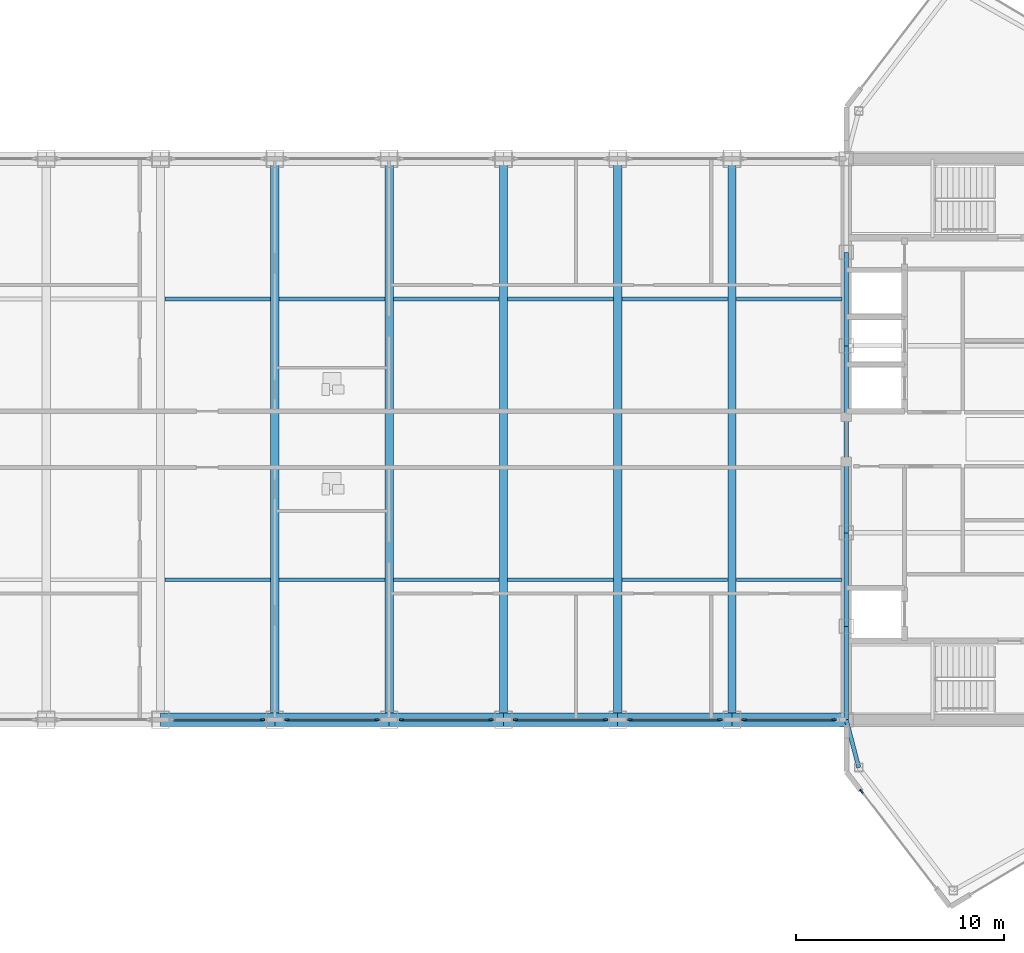
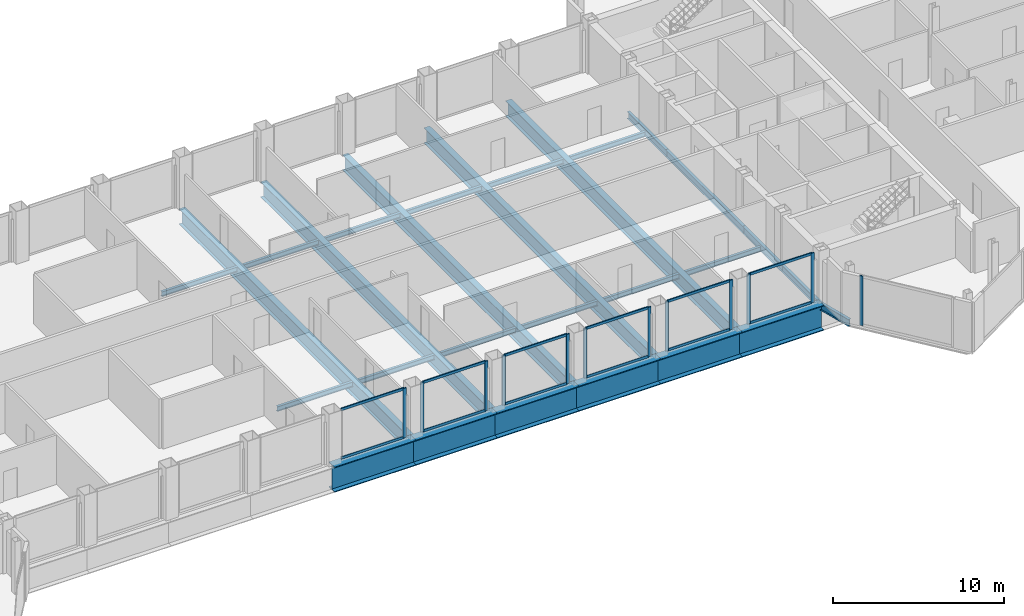
# One storey, part 13 of 29: 28 beams, 24 members, 7 elements without a shape of their own.
"""IFC4 building model written with IfcOpenShell, lengths in metres."""

from ifc_helpers import new_model, si_unit, direction, frame, origin, origin_2d, place, context, subcontext, project, spatial, rectangle, i_section, extrude, source, transform, mapped, material, layer, layer_set, material_profile, profile_set, type_object, type_shapes, element, aggregate, save


model = new_model("IFC4")

# Units and contexts
model_context = context("Model", 3, precision=1e-05, world=origin(), true_north=direction((0.0, 1.0)))
body_context = subcontext(model_context, "Body", "Model", "MODEL_VIEW")
ifc_project = project(units=[si_unit("LENGTHUNIT", "METRE"), si_unit("AREAUNIT", "SQUARE_METRE"), si_unit("VOLUMEUNIT", "CUBIC_METRE"), si_unit("PLANEANGLEUNIT", "RADIAN"), si_unit("MASSUNIT", "GRAM", prefix="KILO")], contexts=[model_context])

# Site, building, storey
site_placement = place(None, origin())
site = spatial("IfcSite", under=ifc_project, at=site_placement, CompositionType="ELEMENT")
building_placement = place(site_placement, origin())
building = spatial("IfcBuilding", under=site, at=building_placement, Name="Seokmaru Belvedere", CompositionType="ELEMENT")
storey_placement = place(building_placement, frame((0.0, 0.0, 239.39990234375)))
storey = spatial("IfcBuildingStorey", under=building, at=storey_placement, Name="L63", CompositionType="ELEMENT", Elevation=239.39990234375)

# Beams
ifc_material_1 = material(Name="Steel SM355 (355 MPa)", Category="steel")
ifc_material_profile_1 = material_profile(ifc_material_1, i_section(OverallWidth=0.199951171875, OverallDepth=0.5, WebThickness=0.010009765625, FlangeThickness=0.01611328125, at=origin_2d()), Name="H-500x200x10x16")
ifc_profile_set_1 = profile_set([ifc_material_profile_1], Name="Steel SM355 (355 MPa)")
beam_type_1 = type_object("IfcBeamType", Name="Perimeter Spandrel Beam H-500", PredefinedType="SPANDREL", material=ifc_profile_set_1)
shared_shape_1 = source(origin(), body_context, "Body", "SweptSolid", [
    extrude(i_section(OverallWidth=0.199951171875, OverallDepth=0.5, WebThickness=0.010009765625, FlangeThickness=0.01611328125, at=origin_2d()), origin(), (0.0, 0.0, 1.0), 4.5),
])
for number, where, z_axis, x_axis, name in (
    (1, (27.5, -13.5, -0.469970703125), (0.0, 1.0, 0.0), (-1.0, 0.0, 0.0), "L63 E Portal Spine Spandrel 1"),
    (2, (27.5, -9.0, -0.469970703125), (0.0, 1.0, 0.0), (-1.0, 0.0, 0.0), "L63 E Portal Spine Spandrel 2"),
    (3, (27.5, 4.5, -0.469970703125), (0.0, 1.0, 0.0), (-1.0, 0.0, 0.0), "L63 E Portal Spine Spandrel 4"),
):
    element("IfcBeam", number, at=place(storey_placement, frame(where, z_axis=z_axis, x_axis=x_axis)), inside=storey, type_object=beam_type_1, Name=name, PredefinedType="SPANDREL", context=body_context, shape_type="MappedRepresentation", body=[
        mapped(shared_shape_1, transform((0.0, 0.0, 0.0), scale=1.0)),
    ])
shared_shape_2 = source(origin(), body_context, "Body", "SweptSolid", [
    extrude(i_section(OverallWidth=0.199951171875, OverallDepth=0.5, WebThickness=0.010009765625, FlangeThickness=0.01611328125, at=origin_2d()), origin(), (0.0, 0.0, 1.0), 9.0),
])
beam_1_placement = place(storey_placement, frame((27.5, -4.5, -0.469970703125), z_axis=(0.0, 1.0, 0.0), x_axis=(-1.0, 0.0, 0.0)))
element("IfcBeam", 4, at=beam_1_placement, inside=storey, type_object=beam_type_1, Name="L63 E Portal Spine Spandrel 3", PredefinedType="SPANDREL", context=body_context, shape_type="MappedRepresentation", body=[
    mapped(shared_shape_2, transform((0.0, 0.0, 0.0), scale=1.0)),
])
shared_shape_3 = source(origin(), body_context, "Body", "SweptSolid", [
    extrude(i_section(OverallWidth=0.199951171875, OverallDepth=0.5, WebThickness=0.010009765625, FlangeThickness=0.01611328125, at=origin_2d()), origin(), (0.0, 0.0, 1.0), 2.373046875),
])
type_shapes(beam_type_1, [shared_shape_1, shared_shape_2, shared_shape_3])
beam_2_placement = place(storey_placement, frame((28.10009765625, -15.7958984375, -0.469970703125), z_axis=(-0.252882558842, 0.967496982648, 0.0), x_axis=(-0.967496982648, -0.252882558842, 0.0)))
element("IfcBeam", 5, at=beam_2_placement, inside=storey, type_object=beam_type_1, Name="L63 E Shoulder Spine Spandrel S", PredefinedType="SPANDREL", context=body_context, shape_type="MappedRepresentation", body=[
    mapped(shared_shape_3, transform((0.0, 0.0, 0.0), scale=1.0)),
])
ifc_material_profile_2 = material_profile(ifc_material_1, i_section(OverallWidth=0.39990234375, OverallDepth=1.10009765625, WebThickness=0.02001953125, FlangeThickness=0.033935546875, at=origin_2d()), Name="BH-1100x400x20x34")
ifc_profile_set_2 = profile_set([ifc_material_profile_2], Name="Steel SM355 (355 MPa)")
beam_type_2 = type_object("IfcBeamType", Name="Sky-Gate Transverse Girder BH-1100", PredefinedType="BEAM", material=ifc_profile_set_2)
shared_shape_4 = source(origin(), body_context, "Body", "SweptSolid", [
    extrude(i_section(OverallWidth=0.39990234375, OverallDepth=1.10009765625, WebThickness=0.02001953125, FlangeThickness=0.033935546875, at=origin_2d()), origin(), (0.0, 0.0, 1.0), 27.0),
])
type_shapes(beam_type_2, [shared_shape_4])
for number, where, z_axis, x_axis, name in (
    (6, (0.0, -13.5, -0.77001953125), (0.0, 1.0, 0.0), (-1.0, 0.0, 0.0), "L63 Sky-Gate Transverse Girder 05"),
    (7, (5.5, -13.5, -0.77001953125), (0.0, 1.0, 0.0), (-1.0, 0.0, 0.0), "L63 Sky-Gate Transverse Girder 06"),
    (8, (11.0, -13.5, -0.77001953125), (0.0, 1.0, 0.0), (-1.0, 0.0, 0.0), "L63 Sky-Gate Transverse Girder 07"),
    (9, (16.5, -13.5, -0.77001953125), (0.0, 1.0, 0.0), (-1.0, 0.0, 0.0), "L63 Sky-Gate Transverse Girder 08"),
    (10, (22.0, -13.5, -0.77001953125), (0.0, 1.0, 0.0), (-1.0, 0.0, 0.0), "L63 Sky-Gate Transverse Girder 09"),
):
    element("IfcBeam", number, at=place(storey_placement, frame(where, z_axis=z_axis, x_axis=x_axis)), inside=storey, type_object=beam_type_2, Name=name, PredefinedType="BEAM", context=body_context, shape_type="MappedRepresentation", body=[
        mapped(shared_shape_4, transform((0.0, 0.0, 0.0), scale=1.0)),
    ])
ifc_material_profile_3 = material_profile(ifc_material_1, i_section(OverallWidth=0.175048828125, OverallDepth=0.35009765625, WebThickness=0.007080078125, FlangeThickness=0.010986328125, at=origin_2d()), Name="H-350x175x7x11")
ifc_profile_set_3 = profile_set([ifc_material_profile_3], Name="Steel SM355 (355 MPa)")
beam_type_3 = type_object("IfcBeamType", Name="Secondary Floor Joist H-300", PredefinedType="JOIST", material=ifc_profile_set_3)
shared_shape_5 = source(origin(), body_context, "Body", "SweptSolid", [
    extrude(i_section(OverallWidth=0.175048828125, OverallDepth=0.35009765625, WebThickness=0.007080078125, FlangeThickness=0.010986328125, at=origin_2d()), origin(), (0.0, 0.0, 1.0), 5.08984375),
])
type_shapes(beam_type_3, [shared_shape_5])
for number, where, z_axis, x_axis, name in (
    (11, (-5.294921875, -6.75, -0.39501953125), (1.0, 0.0, 0.0), (0.0, 1.0, 0.0), "L63 Sky-Gate Secondary Joist S-05"),
    (12, (0.205078125, -6.75, -0.39501953125), (1.0, 0.0, 0.0), (0.0, 1.0, 0.0), "L63 Sky-Gate Secondary Joist S-06"),
    (13, (5.705078125, -6.75, -0.39501953125), (1.0, 0.0, 0.0), (0.0, 1.0, 0.0), "L63 Sky-Gate Secondary Joist S-07"),
    (14, (11.205078125, -6.75, -0.39501953125), (1.0, 0.0, 0.0), (0.0, 1.0, 0.0), "L63 Sky-Gate Secondary Joist S-08"),
    (15, (16.705078125, -6.75, -0.39501953125), (1.0, 0.0, 0.0), (0.0, 1.0, 0.0), "L63 Sky-Gate Secondary Joist S-09"),
    (16, (22.205078125, -6.75, -0.39501953125), (1.0, 0.0, 0.0), (0.0, 1.0, 0.0), "L63 Sky-Gate Secondary Joist S-10"),
    (17, (-5.294921875, 6.75, -0.39501953125), (1.0, 0.0, 0.0), (0.0, 1.0, 0.0), "L63 Sky-Gate Secondary Joist N-05"),
    (18, (0.205078125, 6.75, -0.39501953125), (1.0, 0.0, 0.0), (0.0, 1.0, 0.0), "L63 Sky-Gate Secondary Joist N-06"),
    (19, (5.705078125, 6.75, -0.39501953125), (1.0, 0.0, 0.0), (0.0, 1.0, 0.0), "L63 Sky-Gate Secondary Joist N-07"),
    (20, (11.205078125, 6.75, -0.39501953125), (1.0, 0.0, 0.0), (0.0, 1.0, 0.0), "L63 Sky-Gate Secondary Joist N-08"),
    (21, (16.705078125, 6.75, -0.39501953125), (1.0, 0.0, 0.0), (0.0, 1.0, 0.0), "L63 Sky-Gate Secondary Joist N-09"),
    (22, (22.205078125, 6.75, -0.39501953125), (1.0, 0.0, 0.0), (0.0, 1.0, 0.0), "L63 Sky-Gate Secondary Joist N-10"),
):
    element("IfcBeam", number, at=place(storey_placement, frame(where, z_axis=z_axis, x_axis=x_axis)), inside=storey, type_object=beam_type_3, Name=name, PredefinedType="JOIST", context=body_context, shape_type="MappedRepresentation", body=[
        mapped(shared_shape_5, transform((0.0, 0.0, 0.0), scale=1.0)),
    ])
ifc_material_2 = material(Name="Steel HSA650 (650 MPa)", Category="steel")
ifc_material_profile_4 = material_profile(ifc_material_2, i_section(OverallWidth=0.64990234375, OverallDepth=1.800048828125, WebThickness=0.031982421875, FlangeThickness=0.054931640625, at=origin_2d()), Name="BH-1800x650x32x55")
ifc_profile_set_4 = profile_set([ifc_material_profile_4], Name="Steel HSA650 (650 MPa)")
beam_type_4 = type_object("IfcBeamType", Name="Sky-Gate Upper Bridge Chord Girder BH-1800", PredefinedType="BEAM", material=ifc_profile_set_4)
shared_shape_6 = source(origin(), body_context, "Body", "SweptSolid", [
    extrude(i_section(OverallWidth=0.64990234375, OverallDepth=1.800048828125, WebThickness=0.031982421875, FlangeThickness=0.054931640625, at=origin_2d()), origin(), (0.0, 0.0, 1.0), 5.5),
])
type_shapes(beam_type_4, [shared_shape_6])
for number, where, z_axis, x_axis, name in (
    (23, (-5.5, -13.5, -1.119873046875), (1.0, 0.0, 0.0), (0.0, 1.0, 0.0), "L63 Sky-Gate Transfer Truss Chord S-06"),
    (24, (0.0, -13.5, -1.119873046875), (1.0, 0.0, 0.0), (0.0, 1.0, 0.0), "L63 Sky-Gate Transfer Truss Chord S-07"),
    (25, (5.5, -13.5, -1.119873046875), (1.0, 0.0, 0.0), (0.0, 1.0, 0.0), "L63 Sky-Gate Transfer Truss Chord S-08"),
    (26, (11.0, -13.5, -1.119873046875), (1.0, 0.0, 0.0), (0.0, 1.0, 0.0), "L63 Sky-Gate Transfer Truss Chord S-09"),
    (27, (16.5, -13.5, -1.119873046875), (1.0, 0.0, 0.0), (0.0, 1.0, 0.0), "L63 Sky-Gate Transfer Truss Chord S-10"),
    (28, (22.0, -13.5, -1.119873046875), (1.0, 0.0, 0.0), (0.0, 1.0, 0.0), "L63 Sky-Gate Transfer Truss Chord S-11"),
):
    element("IfcBeam", number, at=place(storey_placement, frame(where, z_axis=z_axis, x_axis=x_axis)), inside=storey, type_object=beam_type_4, Name=name, PredefinedType="BEAM", context=body_context, shape_type="MappedRepresentation", body=[
        mapped(shared_shape_6, transform((0.0, 0.0, 0.0), scale=1.0)),
    ])

# Curtain wall, members
ifc_material_3 = material(Name="Bronze Triple Insulating Glass", Category="glass")
ifc_layer = layer(ifc_material_3, 0.219970703125)
ifc_layer_set = layer_set([ifc_layer], Name="Bronze Triple Insulating Glass")
curtain_wall_type = type_object("IfcCurtainWallType", Name="Sky-Gate Bridge Panorama Curtain Wall System CW-6", PredefinedType="NOTDEFINED", material=ifc_layer_set)
curtain_wall_1_placement = place(storey_placement, origin())
curtain_wall_1 = element("IfcCurtainWall", 29, at=curtain_wall_1_placement, inside=storey, type_object=curtain_wall_type, Name="L63 Curtain Wall BR_S05", PredefinedType="NOTDEFINED")
ifc_material_4 = material(Name="Anodised Bronze Aluminium", Category="aluminium")
ifc_material_profile_5 = material_profile(ifc_material_4, rectangle(XDim=0.074951171875, YDim=0.179931640625, at=origin_2d()), Name="CW-T-75x180")
ifc_profile_set_5 = profile_set([ifc_material_profile_5], Name="Anodised Bronze Aluminium")
member_type_1 = type_object("IfcMemberType", Name="Bronze Unitised Transom 75x180", PredefinedType="USERDEFINED", material=ifc_profile_set_5)
shared_shape_7 = source(origin(), body_context, "Body", "SweptSolid", [
    extrude(rectangle(XDim=0.074951171875, YDim=0.179931640625, at=origin_2d()), origin(), (0.0, 0.0, 1.0), 4.240234375),
])
type_shapes(member_type_1, [shared_shape_7])
member_1_placement = place(storey_placement, frame((-4.8701171875, -13.5, 0.03759765625), z_axis=(1.0, 0.0, 0.0), x_axis=(0.0, 1.0, 0.0)))
member_1 = element("IfcMember", 30, at=member_1_placement, type_object=member_type_1, Name="CW:L63:BR_S05 Continuous Transom 1", ObjectType="TRANSOM", PredefinedType="USERDEFINED", context=body_context, shape_type="MappedRepresentation", body=[
    mapped(shared_shape_7, transform((0.0, 0.0, 0.0), scale=1.0)),
])
member_2_placement = place(storey_placement, frame((-4.8701171875, -13.5, 3.49267578125), z_axis=(1.0, 0.0, 0.0), x_axis=(0.0, 1.0, 0.0)))
member_2 = element("IfcMember", 31, at=member_2_placement, type_object=member_type_1, Name="CW:L63:BR_S05 Continuous Transom 2", ObjectType="TRANSOM", PredefinedType="USERDEFINED", context=body_context, shape_type="MappedRepresentation", body=[
    mapped(shared_shape_7, transform((0.0, 0.0, 0.0), scale=1.0)),
])

curtain_wall_2_placement = place(storey_placement, origin())
curtain_wall_2 = element("IfcCurtainWall", 32, at=curtain_wall_2_placement, inside=storey, type_object=curtain_wall_type, Name="L63 Curtain Wall BR_S06", PredefinedType="NOTDEFINED")
member_3_placement = place(storey_placement, frame((0.6298828125, -13.5, 0.03759765625), z_axis=(1.0, 0.0, 0.0), x_axis=(0.0, 1.0, 0.0)))
member_3 = element("IfcMember", 33, at=member_3_placement, type_object=member_type_1, Name="CW:L63:BR_S06 Continuous Transom 1", ObjectType="TRANSOM", PredefinedType="USERDEFINED", context=body_context, shape_type="MappedRepresentation", body=[
    mapped(shared_shape_7, transform((0.0, 0.0, 0.0), scale=1.0)),
])
member_4_placement = place(storey_placement, frame((0.6298828125, -13.5, 3.49267578125), z_axis=(1.0, 0.0, 0.0), x_axis=(0.0, 1.0, 0.0)))
member_4 = element("IfcMember", 34, at=member_4_placement, type_object=member_type_1, Name="CW:L63:BR_S06 Continuous Transom 2", ObjectType="TRANSOM", PredefinedType="USERDEFINED", context=body_context, shape_type="MappedRepresentation", body=[
    mapped(shared_shape_7, transform((0.0, 0.0, 0.0), scale=1.0)),
])

curtain_wall_3_placement = place(storey_placement, origin())
curtain_wall_3 = element("IfcCurtainWall", 35, at=curtain_wall_3_placement, inside=storey, type_object=curtain_wall_type, Name="L63 Curtain Wall BR_S07", PredefinedType="NOTDEFINED")
member_5_placement = place(storey_placement, frame((6.1298828125, -13.5, 0.03759765625), z_axis=(1.0, 0.0, 0.0), x_axis=(0.0, 1.0, 0.0)))
member_5 = element("IfcMember", 36, at=member_5_placement, type_object=member_type_1, Name="CW:L63:BR_S07 Continuous Transom 1", ObjectType="TRANSOM", PredefinedType="USERDEFINED", context=body_context, shape_type="MappedRepresentation", body=[
    mapped(shared_shape_7, transform((0.0, 0.0, 0.0), scale=1.0)),
])
member_6_placement = place(storey_placement, frame((6.1298828125, -13.5, 3.49267578125), z_axis=(1.0, 0.0, 0.0), x_axis=(0.0, 1.0, 0.0)))
member_6 = element("IfcMember", 37, at=member_6_placement, type_object=member_type_1, Name="CW:L63:BR_S07 Continuous Transom 2", ObjectType="TRANSOM", PredefinedType="USERDEFINED", context=body_context, shape_type="MappedRepresentation", body=[
    mapped(shared_shape_7, transform((0.0, 0.0, 0.0), scale=1.0)),
])

curtain_wall_4_placement = place(storey_placement, origin())
curtain_wall_4 = element("IfcCurtainWall", 38, at=curtain_wall_4_placement, inside=storey, type_object=curtain_wall_type, Name="L63 Curtain Wall BR_S08", PredefinedType="NOTDEFINED")
member_7_placement = place(storey_placement, frame((11.6298828125, -13.5, 0.03759765625), z_axis=(1.0, 0.0, 0.0), x_axis=(0.0, 1.0, 0.0)))
member_7 = element("IfcMember", 39, at=member_7_placement, type_object=member_type_1, Name="CW:L63:BR_S08 Continuous Transom 1", ObjectType="TRANSOM", PredefinedType="USERDEFINED", context=body_context, shape_type="MappedRepresentation", body=[
    mapped(shared_shape_7, transform((0.0, 0.0, 0.0), scale=1.0)),
])
member_8_placement = place(storey_placement, frame((11.6298828125, -13.5, 3.49267578125), z_axis=(1.0, 0.0, 0.0), x_axis=(0.0, 1.0, 0.0)))
member_8 = element("IfcMember", 40, at=member_8_placement, type_object=member_type_1, Name="CW:L63:BR_S08 Continuous Transom 2", ObjectType="TRANSOM", PredefinedType="USERDEFINED", context=body_context, shape_type="MappedRepresentation", body=[
    mapped(shared_shape_7, transform((0.0, 0.0, 0.0), scale=1.0)),
])

curtain_wall_5_placement = place(storey_placement, origin())
curtain_wall_5 = element("IfcCurtainWall", 41, at=curtain_wall_5_placement, inside=storey, type_object=curtain_wall_type, Name="L63 Curtain Wall BR_S09", PredefinedType="NOTDEFINED")
member_9_placement = place(storey_placement, frame((17.1298828125, -13.5, 0.03759765625), z_axis=(1.0, 0.0, 0.0), x_axis=(0.0, 1.0, 0.0)))
member_9 = element("IfcMember", 42, at=member_9_placement, type_object=member_type_1, Name="CW:L63:BR_S09 Continuous Transom 1", ObjectType="TRANSOM", PredefinedType="USERDEFINED", context=body_context, shape_type="MappedRepresentation", body=[
    mapped(shared_shape_7, transform((0.0, 0.0, 0.0), scale=1.0)),
])
member_10_placement = place(storey_placement, frame((17.1298828125, -13.5, 3.49267578125), z_axis=(1.0, 0.0, 0.0), x_axis=(0.0, 1.0, 0.0)))
member_10 = element("IfcMember", 43, at=member_10_placement, type_object=member_type_1, Name="CW:L63:BR_S09 Continuous Transom 2", ObjectType="TRANSOM", PredefinedType="USERDEFINED", context=body_context, shape_type="MappedRepresentation", body=[
    mapped(shared_shape_7, transform((0.0, 0.0, 0.0), scale=1.0)),
])

curtain_wall_6_placement = place(storey_placement, origin())
curtain_wall_6 = element("IfcCurtainWall", 44, at=curtain_wall_6_placement, inside=storey, type_object=curtain_wall_type, Name="L63 Curtain Wall BR_S10", PredefinedType="NOTDEFINED")
member_11_placement = place(storey_placement, frame((22.6298828125, -13.5, 0.03759765625), z_axis=(1.0, 0.0, 0.0), x_axis=(0.0, 1.0, 0.0)))
member_11 = element("IfcMember", 45, at=member_11_placement, type_object=member_type_1, Name="CW:L63:BR_S10 Continuous Transom 1", ObjectType="TRANSOM", PredefinedType="USERDEFINED", context=body_context, shape_type="MappedRepresentation", body=[
    mapped(shared_shape_7, transform((0.0, 0.0, 0.0), scale=1.0)),
])
member_12_placement = place(storey_placement, frame((22.6298828125, -13.5, 3.49267578125), z_axis=(1.0, 0.0, 0.0), x_axis=(0.0, 1.0, 0.0)))
member_12 = element("IfcMember", 46, at=member_12_placement, type_object=member_type_1, Name="CW:L63:BR_S10 Continuous Transom 2", ObjectType="TRANSOM", PredefinedType="USERDEFINED", context=body_context, shape_type="MappedRepresentation", body=[
    mapped(shared_shape_7, transform((0.0, 0.0, 0.0), scale=1.0)),
])

# Curtain wall, member
curtain_wall_7_placement = place(storey_placement, origin())
curtain_wall_7 = element("IfcCurtainWall", 47, at=curtain_wall_7_placement, inside=storey, type_object=curtain_wall_type, Name="L63 Curtain Wall EF6", PredefinedType="NOTDEFINED")
ifc_material_profile_6 = material_profile(ifc_material_4, rectangle(XDim=0.080078125, YDim=0.219970703125, at=origin_2d()), Name="CW-M-80x220")
ifc_profile_set_6 = profile_set([ifc_material_profile_6], Name="Anodised Bronze Aluminium")
member_type_2 = type_object("IfcMemberType", Name="Bronze Unitised Mullion 80x220", PredefinedType="MULLION", material=ifc_profile_set_6)
shared_shape_8 = source(origin(), body_context, "Body", "SweptSolid", [
    extrude(rectangle(XDim=0.080078125, YDim=0.219970703125, at=origin_2d()), origin(), (0.0, 0.0, 1.0), 3.530029296875),
])
type_shapes(member_type_2, [shared_shape_8])
member_13_placement = place(storey_placement, frame((28.2255859375, -16.943115234375, 0.0), z_axis=(0.0, 0.0, 1.0), x_axis=(0.792631353244, 0.609701187349, 0.0)))
member_13 = element("IfcMember", 48, at=member_13_placement, type_object=member_type_2, Name="CW:L63:EF6 Mullion 1", PredefinedType="MULLION", context=body_context, shape_type="MappedRepresentation", body=[
    mapped(shared_shape_8, transform((0.0, 0.0, 0.0), scale=1.0)),
])
aggregate(curtain_wall_7, [member_13])

# Member
member_14_placement = place(storey_placement, frame((-0.590087890625, -13.5, 0.0), z_axis=(0.0, 0.0, 1.0), x_axis=(0.0, 1.0, 0.0)))
member_14 = element("IfcMember", 49, at=member_14_placement, type_object=member_type_2, Name="CW:L63:BR_S05 Mullion 2", PredefinedType="MULLION", context=body_context, shape_type="MappedRepresentation", body=[
    mapped(shared_shape_8, transform((0.0, 0.0, 0.0), scale=1.0)),
])

aggregate(curtain_wall_1, [member_14, member_1, member_2])

member_15_placement = place(storey_placement, frame((0.590087890625, -13.5, 0.0), z_axis=(0.0, 0.0, 1.0), x_axis=(0.0, 1.0, 0.0)))
member_15 = element("IfcMember", 50, at=member_15_placement, type_object=member_type_2, Name="CW:L63:BR_S06 Mullion 1", PredefinedType="MULLION", context=body_context, shape_type="MappedRepresentation", body=[
    mapped(shared_shape_8, transform((0.0, 0.0, 0.0), scale=1.0)),
])

member_16_placement = place(storey_placement, frame((4.909912109375, -13.5, 0.0), z_axis=(0.0, 0.0, 1.0), x_axis=(0.0, 1.0, 0.0)))
member_16 = element("IfcMember", 51, at=member_16_placement, type_object=member_type_2, Name="CW:L63:BR_S06 Mullion 2", PredefinedType="MULLION", context=body_context, shape_type="MappedRepresentation", body=[
    mapped(shared_shape_8, transform((0.0, 0.0, 0.0), scale=1.0)),
])

aggregate(curtain_wall_2, [member_15, member_16, member_3, member_4])

member_17_placement = place(storey_placement, frame((6.090087890625, -13.5, 0.0), z_axis=(0.0, 0.0, 1.0), x_axis=(0.0, 1.0, 0.0)))
member_17 = element("IfcMember", 52, at=member_17_placement, type_object=member_type_2, Name="CW:L63:BR_S07 Mullion 1", PredefinedType="MULLION", context=body_context, shape_type="MappedRepresentation", body=[
    mapped(shared_shape_8, transform((0.0, 0.0, 0.0), scale=1.0)),
])

member_18_placement = place(storey_placement, frame((10.409912109375, -13.5, 0.0), z_axis=(0.0, 0.0, 1.0), x_axis=(0.0, 1.0, 0.0)))
member_18 = element("IfcMember", 53, at=member_18_placement, type_object=member_type_2, Name="CW:L63:BR_S07 Mullion 2", PredefinedType="MULLION", context=body_context, shape_type="MappedRepresentation", body=[
    mapped(shared_shape_8, transform((0.0, 0.0, 0.0), scale=1.0)),
])

aggregate(curtain_wall_3, [member_17, member_18, member_5, member_6])

member_19_placement = place(storey_placement, frame((11.590087890625, -13.5, 0.0), z_axis=(0.0, 0.0, 1.0), x_axis=(0.0, 1.0, 0.0)))
member_19 = element("IfcMember", 54, at=member_19_placement, type_object=member_type_2, Name="CW:L63:BR_S08 Mullion 1", PredefinedType="MULLION", context=body_context, shape_type="MappedRepresentation", body=[
    mapped(shared_shape_8, transform((0.0, 0.0, 0.0), scale=1.0)),
])

member_20_placement = place(storey_placement, frame((15.909912109375, -13.5, 0.0), z_axis=(0.0, 0.0, 1.0), x_axis=(0.0, 1.0, 0.0)))
member_20 = element("IfcMember", 55, at=member_20_placement, type_object=member_type_2, Name="CW:L63:BR_S08 Mullion 2", PredefinedType="MULLION", context=body_context, shape_type="MappedRepresentation", body=[
    mapped(shared_shape_8, transform((0.0, 0.0, 0.0), scale=1.0)),
])

aggregate(curtain_wall_4, [member_19, member_20, member_7, member_8])

member_21_placement = place(storey_placement, frame((17.090087890625, -13.5, 0.0), z_axis=(0.0, 0.0, 1.0), x_axis=(0.0, 1.0, 0.0)))
member_21 = element("IfcMember", 56, at=member_21_placement, type_object=member_type_2, Name="CW:L63:BR_S09 Mullion 1", PredefinedType="MULLION", context=body_context, shape_type="MappedRepresentation", body=[
    mapped(shared_shape_8, transform((0.0, 0.0, 0.0), scale=1.0)),
])

member_22_placement = place(storey_placement, frame((21.409912109375, -13.5, 0.0), z_axis=(0.0, 0.0, 1.0), x_axis=(0.0, 1.0, 0.0)))
member_22 = element("IfcMember", 57, at=member_22_placement, type_object=member_type_2, Name="CW:L63:BR_S09 Mullion 2", PredefinedType="MULLION", context=body_context, shape_type="MappedRepresentation", body=[
    mapped(shared_shape_8, transform((0.0, 0.0, 0.0), scale=1.0)),
])

aggregate(curtain_wall_5, [member_21, member_22, member_9, member_10])

member_23_placement = place(storey_placement, frame((22.590087890625, -13.5, 0.0), z_axis=(0.0, 0.0, 1.0), x_axis=(0.0, 1.0, 0.0)))
member_23 = element("IfcMember", 58, at=member_23_placement, type_object=member_type_2, Name="CW:L63:BR_S10 Mullion 1", PredefinedType="MULLION", context=body_context, shape_type="MappedRepresentation", body=[
    mapped(shared_shape_8, transform((0.0, 0.0, 0.0), scale=1.0)),
])

member_24_placement = place(storey_placement, frame((26.909912109375, -13.5, 0.0), z_axis=(0.0, 0.0, 1.0), x_axis=(0.0, 1.0, 0.0)))
member_24 = element("IfcMember", 59, at=member_24_placement, type_object=member_type_2, Name="CW:L63:BR_S10 Mullion 2", PredefinedType="MULLION", context=body_context, shape_type="MappedRepresentation", body=[
    mapped(shared_shape_8, transform((0.0, 0.0, 0.0), scale=1.0)),
])

aggregate(curtain_wall_6, [member_23, member_24, member_11, member_12])

save(model, "model.ifc")
